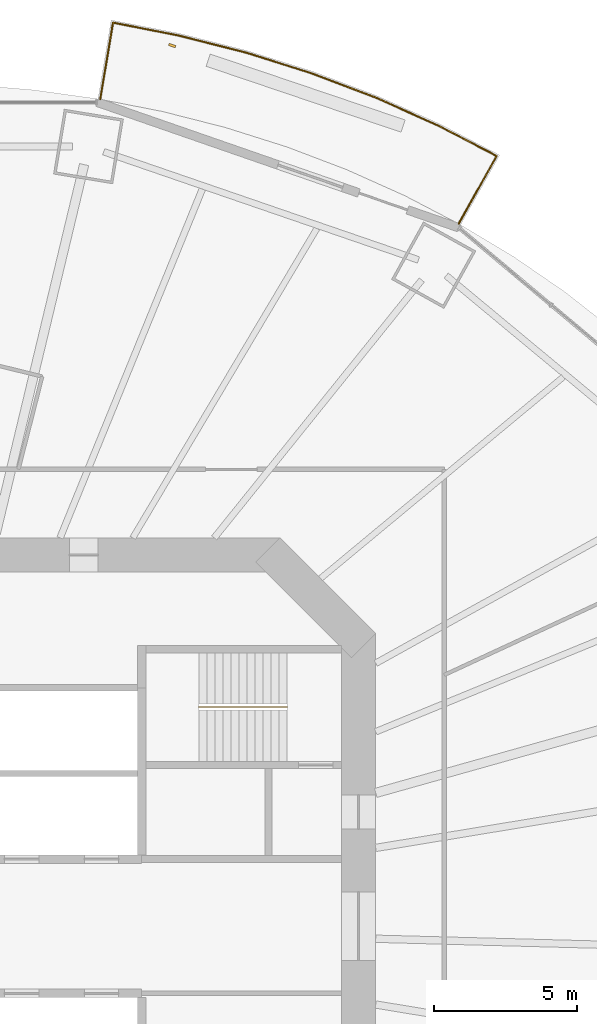
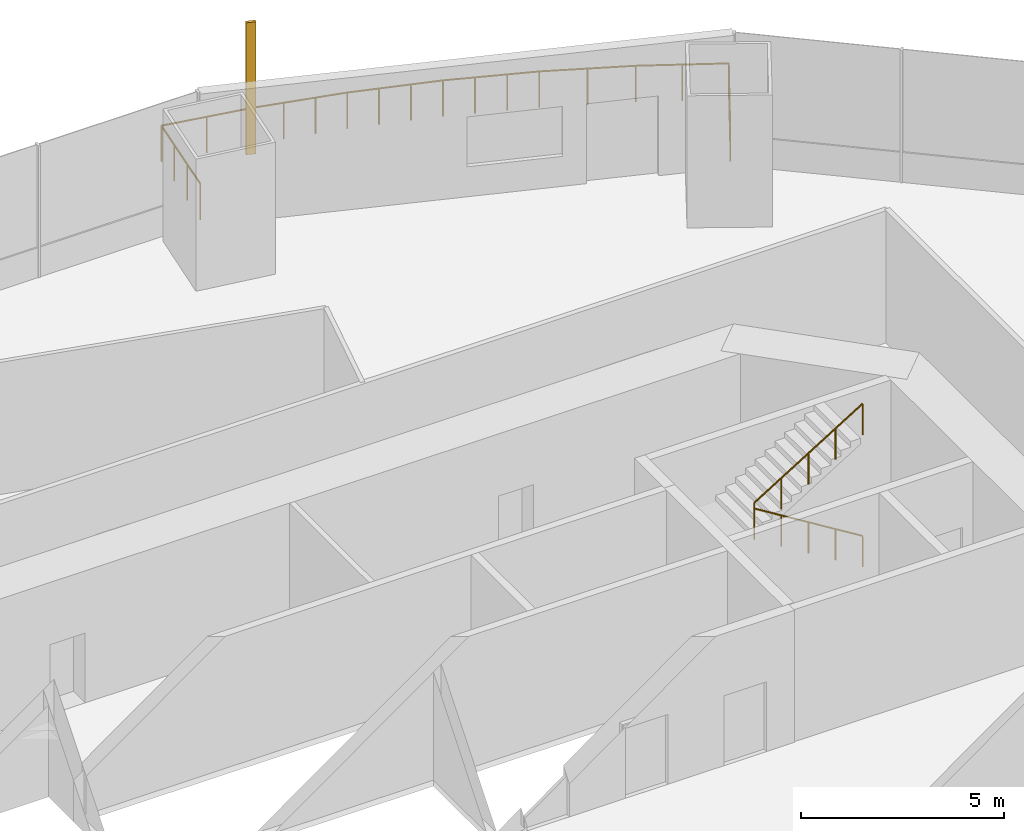
# One storey, part 20 of 22: 2 railings, 1 shading device.
"""IFC4 building model written with IfcOpenShell, lengths in metres."""

from ifc_helpers import new_model, si_unit, direction, frame, origin, origin_2d, place, context, subcontext, project, spatial, rectangle, circle, extrude, material, material_profile, profile_set, type_object, element, save


model = new_model("IFC4")

# Units and contexts
model_context = context("Model", 3, precision=1e-05, world=origin(), true_north=direction((0.0, 1.0)))
body_context = subcontext(model_context, "Body", "Model", "MODEL_VIEW")
ifc_project = project(units=[si_unit("LENGTHUNIT", "METRE"), si_unit("AREAUNIT", "SQUARE_METRE"), si_unit("VOLUMEUNIT", "CUBIC_METRE"), si_unit("PLANEANGLEUNIT", "RADIAN"), si_unit("MASSUNIT", "GRAM", prefix="KILO")], contexts=[model_context])

# Site, building, storey
site_placement = place(None, origin())
site = spatial("IfcSite", under=ifc_project, at=site_placement, CompositionType="ELEMENT")
building_placement = place(site_placement, origin())
building = spatial("IfcBuilding", under=site, at=building_placement, Name="Marenthal Gate Tower", CompositionType="ELEMENT")
storey_placement = place(building_placement, frame((0.0, 0.0, 82.800048828125)))
storey = spatial("IfcBuildingStorey", under=building, at=storey_placement, Name="L16", CompositionType="ELEMENT", Elevation=82.800048828125)

# Railings
ifc_material_1 = material(Name="Stainless steel", Category="steel")
railing_type_1 = type_object("IfcRailingType", Name="Balcony guard 1100", PredefinedType="GUARDRAIL", material=ifc_material_1)
railing_1_placement = place(storey_placement, frame((6.9521484375, 28.957275390625, 0.0)))
element("IfcRailing", 1, at=railing_1_placement, inside=storey, type_object=railing_type_1, Name="Balcony guard L16 bay 3", PredefinedType="GUARDRAIL", context=body_context, shape_type="SweptSolid", body=[
    extrude(circle(Radius=0.02392578125, at=origin_2d()), frame((0.0, 0.0, 1.076171875), z_axis=(0.164599482451, 0.986250661205, -0.014718819587), x_axis=(-0.986357511038, 0.164617315064, 0.0)), (0.0, 0.0, 1.0), 2.72021484375),
    extrude(circle(Radius=0.02392578125, at=origin_2d()), frame((0.44775390625, 2.682861328125, 1.0361328125), z_axis=(0.981243578155, -0.19277199052, 0.0), x_axis=(0.19277199052, 0.981243578155, 0.0)), (0.0, 0.0, 1.0), 2.359375),
    extrude(circle(Radius=0.02392578125, at=origin_2d()), frame((2.762939453125, 2.22802734375, 1.0361328125), z_axis=(0.969141273658, -0.246505966848, 0.0), x_axis=(0.246505966848, 0.969141273658, 0.0)), (0.0, 0.0, 1.0), 2.429443359375),
    extrude(circle(Radius=0.02392578125, at=origin_2d()), frame((5.117431640625, 1.629150390625, 1.0361328125), z_axis=(0.953649791478, -0.300918718616, 0.0), x_axis=(0.300918718616, 0.953649791478, 0.0)), (0.0, 0.0, 1.0), 2.417724609375),
    extrude(circle(Radius=0.02392578125, at=origin_2d()), frame((7.423095703125, 0.901611328125, 1.0361328125), z_axis=(0.934801116304, -0.355171610573, 0.0), x_axis=(0.355171610573, 0.934801116304, 0.0)), (0.0, 0.0, 1.0), 2.40380859375),
    extrude(circle(Radius=0.02392578125, at=origin_2d()), frame((9.670166015625, 0.0478515625, 1.0361328125), z_axis=(0.912542222384, -0.408982508631, 0.0), x_axis=(0.408982508631, 0.912542222384, 0.0)), (0.0, 0.0, 1.0), 2.3876953125),
    extrude(circle(Radius=0.02392578125, at=origin_2d()), frame((11.84912109375, -0.9287109375, 1.0361328125), z_axis=(0.887216801235, -0.461352736642, 0.0), x_axis=(0.461352736642, 0.887216801235, 0.0)), (0.0, 0.0, 1.0), 2.290771484375),
    extrude(circle(Radius=0.02392578125, at=origin_2d()), frame((13.881591796875, -1.985595703125, 1.0361328125), z_axis=(-0.489023148101, -0.872146623829, 0.01471825955), x_axis=(0.872241104505, -0.489076124557, 0.0)), (0.0, 0.0, 1.0), 2.720458984375),
    extrude(circle(Radius=0.02099609375, at=origin_2d()), origin(), (0.0, 0.0, 1.0), 1.052001953125),
    extrude(circle(Radius=0.02099609375, at=origin_2d()), frame((0.149169921875, 0.894287109375, -0.013427734375)), (0.0, 0.0, 1.0), 1.052001953125),
    extrude(circle(Radius=0.02099609375, at=origin_2d()), frame((0.298583984375, 1.78857421875, -0.026611328125)), (0.0, 0.0, 1.0), 1.052001953125),
    extrude(circle(Radius=0.02099609375, at=origin_2d()), frame((0.44775390625, 2.682861328125, -0.0400390625)), (0.0, 0.0, 1.0), 1.052001953125),
    extrude(circle(Radius=0.02099609375, at=origin_2d()), frame((1.60546875, 2.45556640625, -0.0400390625)), (0.0, 0.0, 1.0), 1.052001953125),
    extrude(circle(Radius=0.02099609375, at=origin_2d()), frame((2.762939453125, 2.22802734375, -0.0400390625)), (0.0, 0.0, 1.0), 1.052001953125),
    extrude(circle(Radius=0.02099609375, at=origin_2d()), frame((3.5478515625, 2.0283203125, -0.0400390625)), (0.0, 0.0, 1.0), 1.052001953125),
    extrude(circle(Radius=0.02099609375, at=origin_2d()), frame((4.33251953125, 1.828857421875, -0.0400390625)), (0.0, 0.0, 1.0), 1.052001953125),
    extrude(circle(Radius=0.02099609375, at=origin_2d()), frame((5.117431640625, 1.629150390625, -0.0400390625)), (0.0, 0.0, 1.0), 1.052001953125),
    extrude(circle(Radius=0.02099609375, at=origin_2d()), frame((5.885986328125, 1.38671875, -0.0400390625)), (0.0, 0.0, 1.0), 1.052001953125),
    extrude(circle(Radius=0.02099609375, at=origin_2d()), frame((6.654541015625, 1.14404296875, -0.0400390625)), (0.0, 0.0, 1.0), 1.052001953125),
    extrude(circle(Radius=0.02099609375, at=origin_2d()), frame((7.423095703125, 0.901611328125, -0.0400390625)), (0.0, 0.0, 1.0), 1.052001953125),
    extrude(circle(Radius=0.02099609375, at=origin_2d()), frame((8.172119140625, 0.616943359375, -0.0400390625)), (0.0, 0.0, 1.0), 1.052001953125),
    extrude(circle(Radius=0.02099609375, at=origin_2d()), frame((8.921142578125, 0.33251953125, -0.0400390625)), (0.0, 0.0, 1.0), 1.052001953125),
    extrude(circle(Radius=0.02099609375, at=origin_2d()), frame((9.670166015625, 0.0478515625, -0.0400390625)), (0.0, 0.0, 1.0), 1.052001953125),
    extrude(circle(Radius=0.02099609375, at=origin_2d()), frame((10.759765625, -0.4404296875, -0.0400390625)), (0.0, 0.0, 1.0), 1.052001953125),
    extrude(circle(Radius=0.02099609375, at=origin_2d()), frame((11.84912109375, -0.9287109375, -0.0400390625)), (0.0, 0.0, 1.0), 1.052001953125),
    extrude(circle(Radius=0.02099609375, at=origin_2d()), frame((12.865234375, -1.45703125, -0.0400390625)), (0.0, 0.0, 1.0), 1.052001953125),
    extrude(circle(Radius=0.02099609375, at=origin_2d()), frame((13.881591796875, -1.985595703125, -0.0400390625)), (0.0, 0.0, 1.0), 1.052001953125),
    extrude(circle(Radius=0.02099609375, at=origin_2d()), frame((13.438232421875, -2.7763671875, -0.026611328125)), (0.0, 0.0, 1.0), 1.052001953125),
    extrude(circle(Radius=0.02099609375, at=origin_2d()), frame((12.99462890625, -3.5673828125, -0.013427734375)), (0.0, 0.0, 1.0), 1.052001953125),
    extrude(circle(Radius=0.02099609375, at=origin_2d()), frame((12.55126953125, -4.358154296875, 0.0)), (0.0, 0.0, 1.0), 1.052001953125),
])
ifc_material_2 = material(Name="Stainless steel", Category="steel")
railing_type_2 = type_object("IfcRailingType", Name="Stair handrail", PredefinedType="HANDRAIL", material=ifc_material_2)
railing_2_placement = place(storey_placement, frame((13.5, 7.675048828125, 0.1728515625)))
element("IfcRailing", 2, at=railing_2_placement, inside=storey, type_object=railing_type_2, Name="Handrail ST3", PredefinedType="HANDRAIL", context=body_context, shape_type="SweptSolid", body=[
    extrude(circle(Radius=0.0224609375, at=origin_2d()), frame((0.0, 0.0, 0.927490234375), z_axis=(-0.850835241893, 0.0, 0.525432575268), x_axis=(0.0, -1.0, 0.0)), (0.0, 0.0, 1.0), 3.6201171875),
    extrude(circle(Radius=0.0224609375, at=origin_2d()), frame((-3.080078125, 0.0, 2.82958984375), z_axis=(0.0, 0.0, 1.0), x_axis=(1.0, 0.0, 0.0)), (0.0, 0.0, 1.0), 0.1728515625),
    extrude(circle(Radius=0.0224609375, at=origin_2d()), frame((-3.080078125, 0.0, 3.00244140625), z_axis=(0.850835241893, 0.0, 0.525432575268), x_axis=(0.0, 1.0, 0.0)), (0.0, 0.0, 1.0), 3.6201171875),
    extrude(circle(Radius=0.02001953125, at=origin_2d()), origin(), (0.0, 0.0, 1.0), 0.905029296875),
    extrude(circle(Radius=0.02001953125, at=origin_2d()), frame((-0.77001953125, 0.0, 0.4755859375)), (0.0, 0.0, 1.0), 0.905029296875),
    extrude(circle(Radius=0.02001953125, at=origin_2d()), frame((-1.5400390625, 0.0, 0.951171875)), (0.0, 0.0, 1.0), 0.905029296875),
    extrude(circle(Radius=0.02001953125, at=origin_2d()), frame((-2.31005859375, 0.0, 1.426513671875)), (0.0, 0.0, 1.0), 0.905029296875),
    extrude(circle(Radius=0.02001953125, at=origin_2d()), frame((-3.080078125, 0.0, 1.902099609375)), (0.0, 0.0, 1.0), 0.905029296875),
    extrude(circle(Radius=0.02001953125, at=origin_2d()), frame((-3.080078125, 0.0, 2.074951171875)), (0.0, 0.0, 1.0), 0.905029296875),
    extrude(circle(Radius=0.02001953125, at=origin_2d()), frame((-2.31005859375, 0.0, 2.550537109375)), (0.0, 0.0, 1.0), 0.905029296875),
    extrude(circle(Radius=0.02001953125, at=origin_2d()), frame((-1.5400390625, 0.0, 3.02587890625)), (0.0, 0.0, 1.0), 0.905029296875),
    extrude(circle(Radius=0.02001953125, at=origin_2d()), frame((-0.77001953125, 0.0, 3.50146484375)), (0.0, 0.0, 1.0), 0.905029296875),
    extrude(circle(Radius=0.02001953125, at=origin_2d()), frame((0.0, 0.0, 3.97705078125)), (0.0, 0.0, 1.0), 0.905029296875),
])

# Shading device
ifc_material_3 = material(Name="Terracotta", Category="masonry")
ifc_material_profile = material_profile(ifc_material_3, rectangle(XDim=0.25, YDim=0.080078125, at=origin_2d()), Name="Terracotta baguette 250x80")
ifc_profile_set = profile_set([ifc_material_profile], Name="Terracotta")
shading_device_type = type_object("IfcShadingDeviceType", Name="Terracotta BAGUETTE SCREEN 250x80", PredefinedType="USERDEFINED", material=ifc_profile_set)
shading_device_placement = place(storey_placement, frame((9.471923828125, 30.837646484375, -0.0400390625), z_axis=(0.0, 0.0, 1.0), x_axis=(-0.944634232614, 0.328125230017, 0.0)))
element("IfcShadingDevice", 3, at=shading_device_placement, inside=storey, type_object=shading_device_type, Name="Terracotta BAGUETTE L16 bay 3R", ObjectType="BAGUETTE SCREEN", PredefinedType="USERDEFINED", context=body_context, shape_type="SweptSolid", body=[
    extrude(rectangle(XDim=0.25, YDim=0.080078125, at=origin_2d()), origin(), (0.0, 0.0, 1.0), 3.969970703125),
])

save(model, "model.ifc")
